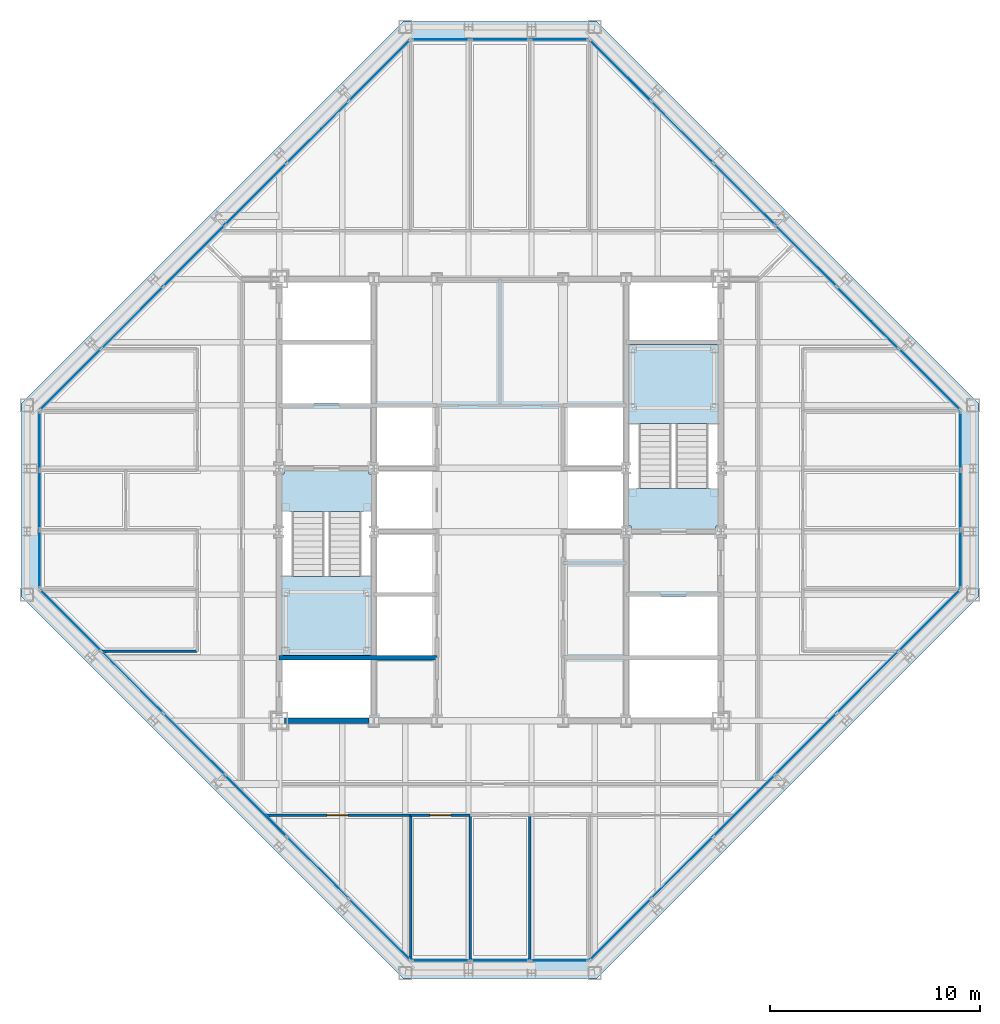
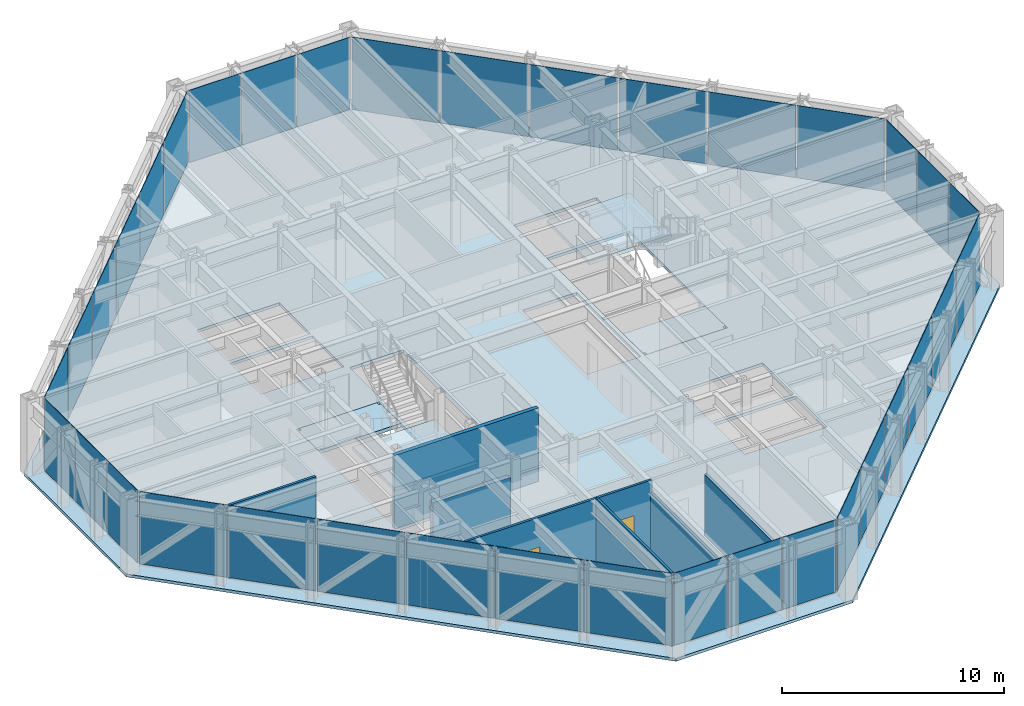
# One storey, part 9 of 15: 36 plates, 8 walls, 5 slabs, 2 doors, 2 openings, 10 elements without a shape of their own.
"""IFC4 building model written with IfcOpenShell, lengths in metres."""

import ifcopenshell
import ifcopenshell.guid

model = None  # the IFC model being written
_history = None  # IfcOwnerHistory: only IFC2X3 demands one
_inside = {}  # id of a spatial element -> (the spatial element, [elements in it])
_under = {}  # id of a project, library or spatial element -> (it, [spatial elements below it])
_declared = {}  # id of a project -> (the project, [libraries it declares])
_typed = {}  # id of a type object -> (the type object, [elements of that type])
_made_of = {}  # id of a material, layer set ... -> (it, [elements and type objects made of it])


def new_model(schema):
    """Start an empty IFC model of exactly this schema.

    Asked for "IFC4X3", IfcOpenShell would pick the latest addendum, in which some entities
    have other attributes; the version numbers below select the first issue.
    IFC2X3 requires an IfcOwnerHistory on every rooted entity: one is made here for all.
    """
    global model, _history
    if schema == "IFC4X3":
        model = ifcopenshell.file(schema_version=(4, 3, 0, 0))
    else:
        model = ifcopenshell.file(schema=schema)
    _inside.clear()
    _under.clear()
    _declared.clear()
    _typed.clear()
    _made_of.clear()
    _history = None
    if model.schema == "IFC2X3":
        org = make("IfcOrganization", Name="unknown")
        user = make(
            "IfcPersonAndOrganization",
            ThePerson=make("IfcPerson", FamilyName="unknown"),
            TheOrganization=org,
        )
        app = make(
            "IfcApplication",
            ApplicationDeveloper=org,
            Version="unknown",
            ApplicationFullName="unknown",
            ApplicationIdentifier="unknown",
        )
        _history = make(
            "IfcOwnerHistory",
            OwningUser=user,
            OwningApplication=app,
            ChangeAction="ADDED",
            CreationDate=0,
        )
    return model


def make(cls, **values):
    """One entity of the class cls with the attributes given. An attribute that is None is left unset."""
    return model.create_entity(
        cls, **{name: value for name, value in values.items() if value is not None}
    )


def rooted(cls, **values):
    """An entity with a GlobalId (a new one), such as an element, a storey or a relation."""
    return make(cls, GlobalId=ifcopenshell.guid.new(), OwnerHistory=_history, **values)


def si_unit(unit_type, name, prefix=None):
    """IfcSIUnit, for example si_unit("LENGTHUNIT", "METRE", prefix="MILLI")."""
    return make("IfcSIUnit", UnitType=unit_type, Prefix=prefix, Name=name)


def assignment(units):
    """IfcUnitAssignment: the units of a project."""
    return None if units is None else make("IfcUnitAssignment", Units=units)


def point(xyz):
    """IfcCartesianPoint."""
    return None if xyz is None else make("IfcCartesianPoint", Coordinates=xyz)


def direction(xyz):
    """IfcDirection."""
    return None if xyz is None else make("IfcDirection", DirectionRatios=xyz)


def frame(location, z_axis=None, x_axis=None):
    """IfcAxis2Placement3D, a coordinate frame: its origin and axes. An axis left out is left unset."""
    return make(
        "IfcAxis2Placement3D",
        Location=point(location),
        Axis=direction(z_axis),
        RefDirection=direction(x_axis),
    )


def frame_2d(location, x_axis=None):
    """IfcAxis2Placement2D, a coordinate frame in the plane: its origin and x axis."""
    return make(
        "IfcAxis2Placement2D", Location=point(location), RefDirection=direction(x_axis)
    )


def origin():
    """The frame at (0, 0, 0) with its axes left unset."""
    return frame((0.0, 0.0, 0.0))


def origin_2d():
    """The frame at (0, 0) in the plane with its x axis left unset."""
    return frame_2d((0.0, 0.0))


def place(relative_to, where):
    """IfcLocalPlacement: puts the frame where relative to a parent placement (None: the world)."""
    return make(
        "IfcLocalPlacement", PlacementRelTo=relative_to, RelativePlacement=where
    )


def context(
    kind, dimensions, precision=None, world=None, true_north=None, identifier=None
):
    """IfcGeometricRepresentationContext, for example the 3D "Model" context."""
    return make(
        "IfcGeometricRepresentationContext",
        ContextIdentifier=identifier,
        ContextType=kind,
        CoordinateSpaceDimension=dimensions,
        Precision=precision,
        WorldCoordinateSystem=world,
        TrueNorth=true_north,
    )


def subcontext(parent, identifier, kind, view, scale=None):
    """IfcGeometricRepresentationSubContext, for example "Body" below "Model"."""
    return make(
        "IfcGeometricRepresentationSubContext",
        ContextIdentifier=identifier,
        ContextType=kind,
        ParentContext=parent,
        TargetScale=scale,
        TargetView=view,
    )


def project(units=None, contexts=None):
    """IfcProject with its units and contexts."""
    return rooted(
        "IfcProject",
        Name="project",
        RepresentationContexts=contexts,
        UnitsInContext=assignment(units),
    )


def spatial(cls, under=None, at=None, **own):
    """A site, building, storey or space (cls), placed at a placement, below another one or the project."""
    s = rooted(cls, ObjectPlacement=at, **own)
    if under is not None:
        _under.setdefault(under.id(), (under, []))[1].append(s)
    return s


def polyline(points):
    """IfcPolyline through the points."""
    return make("IfcPolyline", Points=[point(p) for p in points])


def profile(cls, at=None, kind="AREA", **sizes):
    """A parametric profile (cls). Its sizes go by their IFC names, for example OverallWidth=200.0."""
    return make(cls, ProfileType=kind, Position=at, **sizes)


def rectangle(**sizes):
    """IfcRectangleProfileDef."""
    return profile("IfcRectangleProfileDef", **sizes)


def outline(outer, holes=None, kind="AREA"):
    """IfcArbitraryClosedProfileDef: a profile drawn as a closed curve; with holes, ...WithVoids."""
    if holes is None:
        return make("IfcArbitraryClosedProfileDef", ProfileType=kind, OuterCurve=outer)
    return make(
        "IfcArbitraryProfileDefWithVoids",
        ProfileType=kind,
        OuterCurve=outer,
        InnerCurves=holes,
    )


def extrude(swept, where, along, depth):
    """IfcExtrudedAreaSolid: the profile swept, set in the frame where, extruded along a direction by depth."""
    return make(
        "IfcExtrudedAreaSolid",
        SweptArea=swept,
        Position=where,
        ExtrudedDirection=direction(along),
        Depth=depth,
    )


def shape(context_of_items, identifier, shape_type, items):
    """IfcShapeRepresentation: the items that make up one representation, for example the "Body"."""
    return make(
        "IfcShapeRepresentation",
        ContextOfItems=context_of_items,
        RepresentationIdentifier=identifier,
        RepresentationType=shape_type,
        Items=items,
    )


def material(Name=None, Category=None):
    """IfcMaterial."""
    return make("IfcMaterial", Name=Name, Category=Category)


def layer(
    of_material, thickness, ventilated=None, Name=None, Category=None, Priority=None
):
    """IfcMaterialLayer: one layer of a wall or slab, of a material (None: an air gap)."""
    return make(
        "IfcMaterialLayer",
        Material=of_material,
        LayerThickness=thickness,
        IsVentilated=ventilated,
        Name=Name,
        Category=Category,
        Priority=Priority,
    )


def layer_set(layers, Name=None):
    """IfcMaterialLayerSet."""
    return make("IfcMaterialLayerSet", MaterialLayers=layers, LayerSetName=Name)


def made_of(thing, what):
    """Note that an element or type object is made of a material, layer set ...; save() writes the relation."""
    if what is not None:
        _made_of.setdefault(what.id(), (what, []))[1].append(thing)
    return thing


def type_object(cls, material=None, **own):
    """A type object (cls), such as IfcWallType, which elements share."""
    return made_of(rooted(cls, **own), material)


def element(
    cls,
    number,
    at=None,
    inside=None,
    cuts=None,
    type_object=None,
    material=None,
    context=None,
    identifier="Body",
    shape_type=None,
    held_by="IfcProductDefinitionShape",
    body=None,
    shapes=None,
    **own,
):
    """One element of the class cls, such as IfcWall. Its Tag is "e" and its number.

    at: its placement. inside: the storey or other place that contains it. cuts: it is an
    opening in that element (IfcRelVoidsElement). A single representation is given by context,
    identifier, shape_type and body (its items); several are given by shapes. held_by: the class
    of the entity that holds the representations. save() writes the other relations.
    """
    e = rooted(cls, Tag="e%d" % number, ObjectPlacement=at, **own)
    if body is not None:
        shapes = [shape(context, identifier, shape_type, body)]
    if shapes is not None:
        e.Representation = make(held_by, Representations=shapes)
    if inside is not None:
        _inside.setdefault(inside.id(), (inside, []))[1].append(e)
    if cuts is not None:
        rooted(
            "IfcRelVoidsElement", RelatingBuildingElement=cuts, RelatedOpeningElement=e
        )
    if type_object is not None:
        _typed.setdefault(type_object.id(), (type_object, []))[1].append(e)
    return made_of(e, material)


def fill(opening, filler):
    """IfcRelFillsElement: the door or window that sits in an opening."""
    return rooted(
        "IfcRelFillsElement",
        RelatingOpeningElement=opening,
        RelatedBuildingElement=filler,
    )


def aggregate(whole, parts):
    """IfcRelAggregates: a whole, such as a stair, and the parts it consists of."""
    return rooted("IfcRelAggregates", RelatingObject=whole, RelatedObjects=parts)


def save(model, path):
    """Write the relations noted so far, then the file.

    IfcRelAggregates (storeys below a building ...), IfcRelContainedInSpatialStructure (elements
    in a storey), IfcRelDefinesByType, IfcRelAssociatesMaterial and IfcRelDeclares: one each for
    every whole, place, type object, material and project.
    """
    for whole, parts in _under.values():
        aggregate(whole, parts)
    for where, things in _inside.values():
        rooted(
            "IfcRelContainedInSpatialStructure",
            RelatedElements=things,
            RelatingStructure=where,
        )
    for kind, things in _typed.values():
        rooted("IfcRelDefinesByType", RelatedObjects=things, RelatingType=kind)
    for what, things in _made_of.values():
        rooted("IfcRelAssociatesMaterial", RelatedObjects=things, RelatingMaterial=what)
    for by, libraries in _declared.values():
        rooted("IfcRelDeclares", RelatingContext=by, RelatedDefinitions=libraries)
    model.write(path)


model = new_model("IFC4")

# Units and contexts
model_context = context("Model", 3, precision=1e-05, world=origin(), true_north=direction((0.0, 1.0)))
body_context = subcontext(model_context, "Body", "Model", "MODEL_VIEW")
ifc_project = project(units=[si_unit("LENGTHUNIT", "METRE"), si_unit("AREAUNIT", "SQUARE_METRE"), si_unit("VOLUMEUNIT", "CUBIC_METRE"), si_unit("PLANEANGLEUNIT", "RADIAN"), si_unit("MASSUNIT", "GRAM", prefix="KILO")], contexts=[model_context])

# Site, building, storey
site_placement = place(None, origin())
site = spatial("IfcSite", under=ifc_project, at=site_placement, CompositionType="ELEMENT")
building_placement = place(site_placement, origin())
building = spatial("IfcBuilding", under=site, at=building_placement, Name="Chuquiago Exchange Tower", CompositionType="ELEMENT")
storey_placement = place(building_placement, frame((0.0, 0.0, 270.60009765625)))
storey = spatial("IfcBuildingStorey", under=building, at=storey_placement, Name="L60", CompositionType="ELEMENT", Elevation=270.60009765625)

# Curtain wall, plate
ifc_material_1 = material(Name="Aluminium curtain wall system", Category="aluminium")
ifc_layer_1 = layer(ifc_material_1, 0.22509765625)
ifc_layer_set_1 = layer_set([ifc_layer_1], Name="CW2 office curtain wall")
curtain_wall_type_1 = type_object("IfcCurtainWallType", Name="CW2 office curtain wall", PredefinedType="NOTDEFINED", material=ifc_layer_set_1)
curtain_wall_1_placement = place(storey_placement, origin())
curtain_wall_1 = element("IfcCurtainWall", 1, at=curtain_wall_1_placement, inside=storey, type_object=curtain_wall_type_1, Name="CW2 curtain wall L60", PredefinedType="NOTDEFINED")
ifc_material_2 = material(Name="Glass, insulating unit", Category="glass")
ifc_layer_2 = layer(ifc_material_2, 0.030029296875)
ifc_layer_set_2 = layer_set([ifc_layer_2], Name="CW2-P panel 30")
plate_type_1 = type_object("IfcPlateType", Name="CW2-P panel 30", PredefinedType="CURTAIN_PANEL", material=ifc_layer_set_2)
plate_1_placement = place(storey_placement, frame((25.318115234375, 0.60009765625, 0.06494140625), z_axis=(0.0, 0.0, 1.0), x_axis=(1.0, 0.0, 0.0)))
plate_1 = element("IfcPlate", 2, at=plate_1_placement, type_object=plate_type_1, Name="CW2 panel 3.1", PredefinedType="CURTAIN_PANEL", context=body_context, shape_type="SweptSolid", body=[
    extrude(rectangle(XDim=2.73681640625, YDim=0.030029296875, at=origin_2d()), origin(), (0.0, 0.0, 1.0), 3.97509765625),
])

curtain_wall_2_placement = place(storey_placement, origin())
curtain_wall_2 = element("IfcCurtainWall", 3, at=curtain_wall_2_placement, inside=storey, type_object=curtain_wall_type_1, Name="CW2 curtain wall L60", PredefinedType="NOTDEFINED")
plate_2_placement = place(storey_placement, frame((44.39990234375, 25.318115234375, 0.06494140625), z_axis=(0.0, 0.0, 1.0), x_axis=(0.0, 1.0, 0.0)))
plate_2 = element("IfcPlate", 4, at=plate_2_placement, type_object=plate_type_1, Name="CW2 panel 3.1", PredefinedType="CURTAIN_PANEL", context=body_context, shape_type="SweptSolid", body=[
    extrude(rectangle(XDim=2.73681640625, YDim=0.030029296875, at=origin_2d()), origin(), (0.0, 0.0, 1.0), 3.97509765625),
])

curtain_wall_3_placement = place(storey_placement, origin())
curtain_wall_3 = element("IfcCurtainWall", 5, at=curtain_wall_3_placement, inside=storey, type_object=curtain_wall_type_1, Name="CW2 curtain wall L60", PredefinedType="NOTDEFINED")
plate_3_placement = place(storey_placement, frame((19.681884765625, 44.39990234375, 0.06494140625), z_axis=(0.0, 0.0, 1.0), x_axis=(-1.0, 0.0, 0.0)))
plate_3 = element("IfcPlate", 6, at=plate_3_placement, type_object=plate_type_1, Name="CW2 panel 3.1", PredefinedType="CURTAIN_PANEL", context=body_context, shape_type="SweptSolid", body=[
    extrude(rectangle(XDim=2.73681640625, YDim=0.030029296875, at=origin_2d()), origin(), (0.0, 0.0, 1.0), 3.97509765625),
])

curtain_wall_4_placement = place(storey_placement, origin())
curtain_wall_4 = element("IfcCurtainWall", 7, at=curtain_wall_4_placement, inside=storey, type_object=curtain_wall_type_1, Name="CW2 curtain wall L60", PredefinedType="NOTDEFINED")
plate_4_placement = place(storey_placement, frame((0.60009765625, 19.681884765625, 0.06494140625), z_axis=(0.0, 0.0, 1.0), x_axis=(0.0, -1.0, 0.0)))
plate_4 = element("IfcPlate", 8, at=plate_4_placement, type_object=plate_type_1, Name="CW2 panel 3.1", PredefinedType="CURTAIN_PANEL", context=body_context, shape_type="SweptSolid", body=[
    extrude(rectangle(XDim=2.73681640625, YDim=0.030029296875, at=origin_2d()), origin(), (0.0, 0.0, 1.0), 3.97509765625),
])

# Plate
ifc_material_3 = material(Name="Insulated spandrel panel, pale anodised aluminium", Category="aluminium")
ifc_layer_3 = layer(ifc_material_3, 0.030029296875)
ifc_layer_set_3 = layer_set([ifc_layer_3], Name="CW2-P spandrel panel 30")
plate_type_2 = type_object("IfcPlateType", Name="CW2-P spandrel panel 30", PredefinedType="CURTAIN_PANEL", material=ifc_layer_set_3)
plate_5_placement = place(storey_placement, frame((19.681884765625, 0.60009765625, 0.06494140625), z_axis=(0.0, 0.0, 1.0), x_axis=(1.0, 0.0, 0.0)))
plate_5 = element("IfcPlate", 9, at=plate_5_placement, type_object=plate_type_2, Name="CW2 panel 1.1", PredefinedType="CURTAIN_PANEL", context=body_context, shape_type="SweptSolid", body=[
    extrude(rectangle(XDim=2.73681640625, YDim=0.030029296875, at=origin_2d()), origin(), (0.0, 0.0, 1.0), 3.97509765625),
])

plate_6_placement = place(storey_placement, frame((22.5, 0.60009765625, 0.06494140625), z_axis=(0.0, 0.0, 1.0), x_axis=(1.0, 0.0, 0.0)))
plate_6 = element("IfcPlate", 10, at=plate_6_placement, type_object=plate_type_2, Name="CW2 panel 2.1", PredefinedType="CURTAIN_PANEL", context=body_context, shape_type="SweptSolid", body=[
    extrude(rectangle(XDim=2.769287109375, YDim=0.030029296875, at=origin_2d()), origin(), (0.0, 0.0, 1.0), 3.97509765625),
])

aggregate(curtain_wall_1, [plate_5, plate_6, plate_1])

plate_7_placement = place(storey_placement, frame((44.39990234375, 19.681884765625, 0.06494140625), z_axis=(0.0, 0.0, 1.0), x_axis=(0.0, 1.0, 0.0)))
plate_7 = element("IfcPlate", 11, at=plate_7_placement, type_object=plate_type_2, Name="CW2 panel 1.1", PredefinedType="CURTAIN_PANEL", context=body_context, shape_type="SweptSolid", body=[
    extrude(rectangle(XDim=2.73681640625, YDim=0.030029296875, at=origin_2d()), origin(), (0.0, 0.0, 1.0), 3.97509765625),
])

plate_8_placement = place(storey_placement, frame((44.39990234375, 22.5, 0.06494140625), z_axis=(0.0, 0.0, 1.0), x_axis=(0.0, 1.0, 0.0)))
plate_8 = element("IfcPlate", 12, at=plate_8_placement, type_object=plate_type_2, Name="CW2 panel 2.1", PredefinedType="CURTAIN_PANEL", context=body_context, shape_type="SweptSolid", body=[
    extrude(rectangle(XDim=2.769287109375, YDim=0.030029296875, at=origin_2d()), origin(), (0.0, 0.0, 1.0), 3.97509765625),
])

aggregate(curtain_wall_2, [plate_7, plate_8, plate_2])

plate_9_placement = place(storey_placement, frame((25.318115234375, 44.39990234375, 0.06494140625), z_axis=(0.0, 0.0, 1.0), x_axis=(-1.0, 0.0, 0.0)))
plate_9 = element("IfcPlate", 13, at=plate_9_placement, type_object=plate_type_2, Name="CW2 panel 1.1", PredefinedType="CURTAIN_PANEL", context=body_context, shape_type="SweptSolid", body=[
    extrude(rectangle(XDim=2.73681640625, YDim=0.030029296875, at=origin_2d()), origin(), (0.0, 0.0, 1.0), 3.97509765625),
])

plate_10_placement = place(storey_placement, frame((22.5, 44.39990234375, 0.06494140625), z_axis=(0.0, 0.0, 1.0), x_axis=(-1.0, 0.0, 0.0)))
plate_10 = element("IfcPlate", 14, at=plate_10_placement, type_object=plate_type_2, Name="CW2 panel 2.1", PredefinedType="CURTAIN_PANEL", context=body_context, shape_type="SweptSolid", body=[
    extrude(rectangle(XDim=2.769287109375, YDim=0.030029296875, at=origin_2d()), origin(), (0.0, 0.0, 1.0), 3.97509765625),
])

aggregate(curtain_wall_3, [plate_9, plate_10, plate_3])

plate_11_placement = place(storey_placement, frame((0.60009765625, 25.318115234375, 0.06494140625), z_axis=(0.0, 0.0, 1.0), x_axis=(0.0, -1.0, 0.0)))
plate_11 = element("IfcPlate", 15, at=plate_11_placement, type_object=plate_type_2, Name="CW2 panel 1.1", PredefinedType="CURTAIN_PANEL", context=body_context, shape_type="SweptSolid", body=[
    extrude(rectangle(XDim=2.73681640625, YDim=0.030029296875, at=origin_2d()), origin(), (0.0, 0.0, 1.0), 3.97509765625),
])

plate_12_placement = place(storey_placement, frame((0.60009765625, 22.5, 0.06494140625), z_axis=(0.0, 0.0, 1.0), x_axis=(0.0, -1.0, 0.0)))
plate_12 = element("IfcPlate", 16, at=plate_12_placement, type_object=plate_type_2, Name="CW2 panel 2.1", PredefinedType="CURTAIN_PANEL", context=body_context, shape_type="SweptSolid", body=[
    extrude(rectangle(XDim=2.769287109375, YDim=0.030029296875, at=origin_2d()), origin(), (0.0, 0.0, 1.0), 3.97509765625),
])

aggregate(curtain_wall_4, [plate_11, plate_12, plate_4])

# Curtain wall, plates
ifc_material_4 = material(Name="Aluminium curtain wall system", Category="aluminium")
ifc_layer_4 = layer(ifc_material_4, 0.199951171875)
ifc_layer_set_4 = layer_set([ifc_layer_4], Name="CW3 facet curtain wall")
curtain_wall_type_2 = type_object("IfcCurtainWallType", Name="CW3 facet curtain wall", PredefinedType="NOTDEFINED", material=ifc_layer_set_4)
curtain_wall_5_placement = place(storey_placement, origin())
curtain_wall_5 = element("IfcCurtainWall", 17, at=curtain_wall_5_placement, inside=storey, type_object=curtain_wall_type_2, Name="CW3 curtain wall L60", PredefinedType="NOTDEFINED")
ifc_material_5 = material(Name="Insulated spandrel panel, pale anodised aluminium", Category="aluminium")
ifc_layer_5 = layer(ifc_material_5, 0.030029296875)
ifc_layer_set_5 = layer_set([ifc_layer_5], Name="CW3-P spandrel panel 30")
plate_type_3 = type_object("IfcPlateType", Name="CW3-P spandrel panel 30", PredefinedType="CURTAIN_PANEL", material=ifc_layer_set_5)
plate_13_placement = place(storey_placement, frame((28.233642578125, 2.082275390625, 0.06494140625), z_axis=(0.0, 0.0, 1.0), x_axis=(0.707106781187, 0.707106781187, 0.0)))
plate_13 = element("IfcPlate", 18, at=plate_13_placement, type_object=plate_type_3, Name="CW3 panel 1.1", PredefinedType="CURTAIN_PANEL", context=body_context, shape_type="SweptSolid", body=[
    extrude(rectangle(XDim=4.062255859375, YDim=0.030029296875, at=origin_2d()), origin(), (0.0, 0.0, 1.0), 3.97509765625),
])
plate_14_placement = place(storey_placement, frame((31.16357421875, 5.01220703125, 0.06494140625), z_axis=(0.0, 0.0, 1.0), x_axis=(0.707106781187, 0.707106781187, 0.0)))
plate_14 = element("IfcPlate", 19, at=plate_14_placement, type_object=plate_type_3, Name="CW3 panel 2.1", PredefinedType="CURTAIN_PANEL", context=body_context, shape_type="SweptSolid", body=[
    extrude(rectangle(XDim=4.0947265625, YDim=0.030029296875, at=origin_2d()), origin(), (0.0, 0.0, 1.0), 3.97509765625),
])
plate_15_placement = place(storey_placement, frame((34.10498046875, 7.95361328125, 0.06494140625), z_axis=(0.0, 0.0, 1.0), x_axis=(0.707106781187, 0.707106781187, 0.0)))
plate_15 = element("IfcPlate", 20, at=plate_15_placement, type_object=plate_type_3, Name="CW3 panel 3.1", PredefinedType="CURTAIN_PANEL", context=body_context, shape_type="SweptSolid", body=[
    extrude(rectangle(XDim=4.0947265625, YDim=0.030029296875, at=origin_2d()), origin(), (0.0, 0.0, 1.0), 3.97509765625),
])
plate_16_placement = place(storey_placement, frame((37.04638671875, 10.89501953125, 0.06494140625), z_axis=(0.0, 0.0, 1.0), x_axis=(0.707106781187, 0.707106781187, 0.0)))
plate_16 = element("IfcPlate", 21, at=plate_16_placement, type_object=plate_type_3, Name="CW3 panel 4.1", PredefinedType="CURTAIN_PANEL", context=body_context, shape_type="SweptSolid", body=[
    extrude(rectangle(XDim=4.0947265625, YDim=0.030029296875, at=origin_2d()), origin(), (0.0, 0.0, 1.0), 3.97509765625),
])
plate_17_placement = place(storey_placement, frame((39.98779296875, 13.83642578125, 0.06494140625), z_axis=(0.0, 0.0, 1.0), x_axis=(0.707106781187, 0.707106781187, 0.0)))
plate_17 = element("IfcPlate", 22, at=plate_17_placement, type_object=plate_type_3, Name="CW3 panel 5.1", PredefinedType="CURTAIN_PANEL", context=body_context, shape_type="SweptSolid", body=[
    extrude(rectangle(XDim=4.0947265625, YDim=0.030029296875, at=origin_2d()), origin(), (0.0, 0.0, 1.0), 3.97509765625),
])
plate_18_placement = place(storey_placement, frame((42.917724609375, 16.766357421875, 0.06494140625), z_axis=(0.0, 0.0, 1.0), x_axis=(0.707106781187, 0.707106781187, 0.0)))
plate_18 = element("IfcPlate", 23, at=plate_18_placement, type_object=plate_type_3, Name="CW3 panel 6.1", PredefinedType="CURTAIN_PANEL", context=body_context, shape_type="SweptSolid", body=[
    extrude(rectangle(XDim=4.062255859375, YDim=0.030029296875, at=origin_2d()), origin(), (0.0, 0.0, 1.0), 3.97509765625),
])
aggregate(curtain_wall_5, [plate_13, plate_14, plate_15, plate_16, plate_17, plate_18])

curtain_wall_6_placement = place(storey_placement, origin())
curtain_wall_6 = element("IfcCurtainWall", 24, at=curtain_wall_6_placement, inside=storey, type_object=curtain_wall_type_2, Name="CW3 curtain wall L60", PredefinedType="NOTDEFINED")
plate_19_placement = place(storey_placement, frame((42.917724609375, 28.233642578125, 0.06494140625), z_axis=(0.0, 0.0, 1.0), x_axis=(-0.707106781187, 0.707106781187, 0.0)))
plate_19 = element("IfcPlate", 25, at=plate_19_placement, type_object=plate_type_3, Name="CW3 panel 1.1", PredefinedType="CURTAIN_PANEL", context=body_context, shape_type="SweptSolid", body=[
    extrude(rectangle(XDim=4.062255859375, YDim=0.030029296875, at=origin_2d()), origin(), (0.0, 0.0, 1.0), 3.97509765625),
])
plate_20_placement = place(storey_placement, frame((39.98779296875, 31.16357421875, 0.06494140625), z_axis=(0.0, 0.0, 1.0), x_axis=(-0.707106781187, 0.707106781187, 0.0)))
plate_20 = element("IfcPlate", 26, at=plate_20_placement, type_object=plate_type_3, Name="CW3 panel 2.1", PredefinedType="CURTAIN_PANEL", context=body_context, shape_type="SweptSolid", body=[
    extrude(rectangle(XDim=4.0947265625, YDim=0.030029296875, at=origin_2d()), origin(), (0.0, 0.0, 1.0), 3.97509765625),
])
plate_21_placement = place(storey_placement, frame((37.04638671875, 34.10498046875, 0.06494140625), z_axis=(0.0, 0.0, 1.0), x_axis=(-0.707106781187, 0.707106781187, 0.0)))
plate_21 = element("IfcPlate", 27, at=plate_21_placement, type_object=plate_type_3, Name="CW3 panel 3.1", PredefinedType="CURTAIN_PANEL", context=body_context, shape_type="SweptSolid", body=[
    extrude(rectangle(XDim=4.0947265625, YDim=0.030029296875, at=origin_2d()), origin(), (0.0, 0.0, 1.0), 3.97509765625),
])
plate_22_placement = place(storey_placement, frame((34.10498046875, 37.04638671875, 0.06494140625), z_axis=(0.0, 0.0, 1.0), x_axis=(-0.707106781187, 0.707106781187, 0.0)))
plate_22 = element("IfcPlate", 28, at=plate_22_placement, type_object=plate_type_3, Name="CW3 panel 4.1", PredefinedType="CURTAIN_PANEL", context=body_context, shape_type="SweptSolid", body=[
    extrude(rectangle(XDim=4.0947265625, YDim=0.030029296875, at=origin_2d()), origin(), (0.0, 0.0, 1.0), 3.97509765625),
])
plate_23_placement = place(storey_placement, frame((31.16357421875, 39.98779296875, 0.06494140625), z_axis=(0.0, 0.0, 1.0), x_axis=(-0.707106781187, 0.707106781187, 0.0)))
plate_23 = element("IfcPlate", 29, at=plate_23_placement, type_object=plate_type_3, Name="CW3 panel 5.1", PredefinedType="CURTAIN_PANEL", context=body_context, shape_type="SweptSolid", body=[
    extrude(rectangle(XDim=4.0947265625, YDim=0.030029296875, at=origin_2d()), origin(), (0.0, 0.0, 1.0), 3.97509765625),
])
plate_24_placement = place(storey_placement, frame((28.233642578125, 42.917724609375, 0.06494140625), z_axis=(0.0, 0.0, 1.0), x_axis=(-0.707106781187, 0.707106781187, 0.0)))
plate_24 = element("IfcPlate", 30, at=plate_24_placement, type_object=plate_type_3, Name="CW3 panel 6.1", PredefinedType="CURTAIN_PANEL", context=body_context, shape_type="SweptSolid", body=[
    extrude(rectangle(XDim=4.062255859375, YDim=0.030029296875, at=origin_2d()), origin(), (0.0, 0.0, 1.0), 3.97509765625),
])
aggregate(curtain_wall_6, [plate_19, plate_20, plate_21, plate_22, plate_23, plate_24])

curtain_wall_7_placement = place(storey_placement, origin())
curtain_wall_7 = element("IfcCurtainWall", 31, at=curtain_wall_7_placement, inside=storey, type_object=curtain_wall_type_2, Name="CW3 curtain wall L60", PredefinedType="NOTDEFINED")
plate_25_placement = place(storey_placement, frame((16.766357421875, 42.917724609375, 0.06494140625), z_axis=(0.0, 0.0, 1.0), x_axis=(-0.707106781187, -0.707106781187, 0.0)))
plate_25 = element("IfcPlate", 32, at=plate_25_placement, type_object=plate_type_3, Name="CW3 panel 1.1", PredefinedType="CURTAIN_PANEL", context=body_context, shape_type="SweptSolid", body=[
    extrude(rectangle(XDim=4.062255859375, YDim=0.030029296875, at=origin_2d()), origin(), (0.0, 0.0, 1.0), 3.97509765625),
])
plate_26_placement = place(storey_placement, frame((13.83642578125, 39.98779296875, 0.06494140625), z_axis=(0.0, 0.0, 1.0), x_axis=(-0.707106781187, -0.707106781187, 0.0)))
plate_26 = element("IfcPlate", 33, at=plate_26_placement, type_object=plate_type_3, Name="CW3 panel 2.1", PredefinedType="CURTAIN_PANEL", context=body_context, shape_type="SweptSolid", body=[
    extrude(rectangle(XDim=4.0947265625, YDim=0.030029296875, at=origin_2d()), origin(), (0.0, 0.0, 1.0), 3.97509765625),
])
plate_27_placement = place(storey_placement, frame((10.89501953125, 37.04638671875, 0.06494140625), z_axis=(0.0, 0.0, 1.0), x_axis=(-0.707106781187, -0.707106781187, 0.0)))
plate_27 = element("IfcPlate", 34, at=plate_27_placement, type_object=plate_type_3, Name="CW3 panel 3.1", PredefinedType="CURTAIN_PANEL", context=body_context, shape_type="SweptSolid", body=[
    extrude(rectangle(XDim=4.0947265625, YDim=0.030029296875, at=origin_2d()), origin(), (0.0, 0.0, 1.0), 3.97509765625),
])
plate_28_placement = place(storey_placement, frame((7.95361328125, 34.10498046875, 0.06494140625), z_axis=(0.0, 0.0, 1.0), x_axis=(-0.707106781187, -0.707106781187, 0.0)))
plate_28 = element("IfcPlate", 35, at=plate_28_placement, type_object=plate_type_3, Name="CW3 panel 4.1", PredefinedType="CURTAIN_PANEL", context=body_context, shape_type="SweptSolid", body=[
    extrude(rectangle(XDim=4.0947265625, YDim=0.030029296875, at=origin_2d()), origin(), (0.0, 0.0, 1.0), 3.97509765625),
])
plate_29_placement = place(storey_placement, frame((5.01220703125, 31.16357421875, 0.06494140625), z_axis=(0.0, 0.0, 1.0), x_axis=(-0.707106781187, -0.707106781187, 0.0)))
plate_29 = element("IfcPlate", 36, at=plate_29_placement, type_object=plate_type_3, Name="CW3 panel 5.1", PredefinedType="CURTAIN_PANEL", context=body_context, shape_type="SweptSolid", body=[
    extrude(rectangle(XDim=4.0947265625, YDim=0.030029296875, at=origin_2d()), origin(), (0.0, 0.0, 1.0), 3.97509765625),
])
plate_30_placement = place(storey_placement, frame((2.082275390625, 28.233642578125, 0.06494140625), z_axis=(0.0, 0.0, 1.0), x_axis=(-0.707106781187, -0.707106781187, 0.0)))
plate_30 = element("IfcPlate", 37, at=plate_30_placement, type_object=plate_type_3, Name="CW3 panel 6.1", PredefinedType="CURTAIN_PANEL", context=body_context, shape_type="SweptSolid", body=[
    extrude(rectangle(XDim=4.062255859375, YDim=0.030029296875, at=origin_2d()), origin(), (0.0, 0.0, 1.0), 3.97509765625),
])
aggregate(curtain_wall_7, [plate_25, plate_26, plate_27, plate_28, plate_29, plate_30])

curtain_wall_8_placement = place(storey_placement, origin())
curtain_wall_8 = element("IfcCurtainWall", 38, at=curtain_wall_8_placement, inside=storey, type_object=curtain_wall_type_2, Name="CW3 curtain wall L60", PredefinedType="NOTDEFINED")
plate_31_placement = place(storey_placement, frame((2.082275390625, 16.766357421875, 0.06494140625), z_axis=(0.0, 0.0, 1.0), x_axis=(0.707106781187, -0.707106781187, 0.0)))
plate_31 = element("IfcPlate", 39, at=plate_31_placement, type_object=plate_type_3, Name="CW3 panel 1.1", PredefinedType="CURTAIN_PANEL", context=body_context, shape_type="SweptSolid", body=[
    extrude(rectangle(XDim=4.062255859375, YDim=0.030029296875, at=origin_2d()), origin(), (0.0, 0.0, 1.0), 3.97509765625),
])
plate_32_placement = place(storey_placement, frame((5.01220703125, 13.83642578125, 0.06494140625), z_axis=(0.0, 0.0, 1.0), x_axis=(0.707106781187, -0.707106781187, 0.0)))
plate_32 = element("IfcPlate", 40, at=plate_32_placement, type_object=plate_type_3, Name="CW3 panel 2.1", PredefinedType="CURTAIN_PANEL", context=body_context, shape_type="SweptSolid", body=[
    extrude(rectangle(XDim=4.0947265625, YDim=0.030029296875, at=origin_2d()), origin(), (0.0, 0.0, 1.0), 3.97509765625),
])
plate_33_placement = place(storey_placement, frame((7.95361328125, 10.89501953125, 0.06494140625), z_axis=(0.0, 0.0, 1.0), x_axis=(0.707106781187, -0.707106781187, 0.0)))
plate_33 = element("IfcPlate", 41, at=plate_33_placement, type_object=plate_type_3, Name="CW3 panel 3.1", PredefinedType="CURTAIN_PANEL", context=body_context, shape_type="SweptSolid", body=[
    extrude(rectangle(XDim=4.0947265625, YDim=0.030029296875, at=origin_2d()), origin(), (0.0, 0.0, 1.0), 3.97509765625),
])
plate_34_placement = place(storey_placement, frame((10.89501953125, 7.95361328125, 0.06494140625), z_axis=(0.0, 0.0, 1.0), x_axis=(0.707106781187, -0.707106781187, 0.0)))
plate_34 = element("IfcPlate", 42, at=plate_34_placement, type_object=plate_type_3, Name="CW3 panel 4.1", PredefinedType="CURTAIN_PANEL", context=body_context, shape_type="SweptSolid", body=[
    extrude(rectangle(XDim=4.0947265625, YDim=0.030029296875, at=origin_2d()), origin(), (0.0, 0.0, 1.0), 3.97509765625),
])
plate_35_placement = place(storey_placement, frame((13.83642578125, 5.01220703125, 0.06494140625), z_axis=(0.0, 0.0, 1.0), x_axis=(0.707106781187, -0.707106781187, 0.0)))
plate_35 = element("IfcPlate", 43, at=plate_35_placement, type_object=plate_type_3, Name="CW3 panel 5.1", PredefinedType="CURTAIN_PANEL", context=body_context, shape_type="SweptSolid", body=[
    extrude(rectangle(XDim=4.0947265625, YDim=0.030029296875, at=origin_2d()), origin(), (0.0, 0.0, 1.0), 3.97509765625),
])
plate_36_placement = place(storey_placement, frame((16.766357421875, 2.082275390625, 0.06494140625), z_axis=(0.0, 0.0, 1.0), x_axis=(0.707106781187, -0.707106781187, 0.0)))
plate_36 = element("IfcPlate", 44, at=plate_36_placement, type_object=plate_type_3, Name="CW3 panel 6.1", PredefinedType="CURTAIN_PANEL", context=body_context, shape_type="SweptSolid", body=[
    extrude(rectangle(XDim=4.062255859375, YDim=0.030029296875, at=origin_2d()), origin(), (0.0, 0.0, 1.0), 3.97509765625),
])
aggregate(curtain_wall_8, [plate_31, plate_32, plate_33, plate_34, plate_35, plate_36])

# Slab
ifc_material_6 = material(Name="Concrete C30/37", Category="concrete")
ifc_layer_6 = layer(ifc_material_6, 0.159912109375)
ifc_layer_set_6 = layer_set([ifc_layer_6], Name="FS1 composite floor 160")
slab_type_1 = type_object("IfcSlabType", Name="FS1 composite floor 160", PredefinedType="FLOOR", material=ifc_layer_set_6)
slab_1_placement = place(storey_placement, frame((0.0, 0.0, -0.16015625)))
element("IfcSlab", 45, at=slab_1_placement, inside=storey, type_object=slab_type_1, Name="L60 floor slab", PredefinedType="FLOOR", context=body_context, shape_type="SweptSolid", body=[
    extrude(outline(polyline([(17.896484375, -0.25), (-0.25, 17.896484375), (-0.25, 27.103515625), (17.896484375, 45.25), (27.103515625, 45.25), (45.25, 27.103515625), (45.25, 17.896484375), (27.103515625, -0.25), (17.896484375, -0.25)]), holes=[polyline([(16.39990234375, 15.10009765625), (12.10009765625, 15.10009765625), (12.10009765625, 23.89990234375), (16.39990234375, 23.89990234375), (16.39990234375, 15.10009765625)]), polyline([(32.89990234375, 21.10009765625), (28.60009765625, 21.10009765625), (28.60009765625, 29.89990234375), (32.89990234375, 29.89990234375), (32.89990234375, 21.10009765625)]), polyline([(16.39990234375, 12.10009765625), (12.10009765625, 12.10009765625), (12.10009765625, 14.89990234375), (16.39990234375, 14.89990234375), (16.39990234375, 12.10009765625)]), polyline([(16.39990234375, 30.10009765625), (12.10009765625, 30.10009765625), (12.10009765625, 32.89990234375), (16.39990234375, 32.89990234375), (16.39990234375, 30.10009765625)]), polyline([(32.89990234375, 12.10009765625), (28.60009765625, 12.10009765625), (28.60009765625, 14.89990234375), (32.89990234375, 14.89990234375), (32.89990234375, 12.10009765625)]), polyline([(32.89990234375, 30.10009765625), (28.60009765625, 30.10009765625), (28.60009765625, 32.89990234375), (32.89990234375, 32.89990234375), (32.89990234375, 30.10009765625)]), polyline([(16.39990234375, 27.10009765625), (12.10009765625, 27.10009765625), (12.10009765625, 29.89990234375), (16.39990234375, 29.89990234375), (16.39990234375, 27.10009765625)]), polyline([(32.89990234375, 15.10009765625), (28.60009765625, 15.10009765625), (28.60009765625, 17.89990234375), (32.89990234375, 17.89990234375), (32.89990234375, 15.10009765625)]), polyline([(19.39990234375, 15.10009765625), (16.60009765625, 15.10009765625), (16.60009765625, 26.89990234375), (19.39990234375, 26.89990234375), (19.39990234375, 15.10009765625)]), polyline([(28.39990234375, 21.10009765625), (25.60009765625, 21.10009765625), (25.60009765625, 26.89990234375), (28.39990234375, 26.89990234375), (28.39990234375, 21.10009765625)])]), origin(), (0.0, 0.0, 1.0), 0.16015625),
])

# Stair, slabs
ifc_material_7 = material(Name="Concrete C30/37, precast", Category="concrete")
stair_type_1 = type_object("IfcStairType", Name="ST1 half-turn stair 4200", PredefinedType="HALF_TURN_STAIR", material=ifc_material_7)
stair_1_placement = place(storey_placement, origin())
stair_1 = element("IfcStair", 46, at=stair_1_placement, inside=storey, type_object=stair_type_1, Name="Stair ST1 L60", PredefinedType="HALF_TURN_STAIR")
ifc_material_8 = material(Name="Concrete C30/37, precast", Category="concrete")
ifc_layer_7 = layer(ifc_material_8, 0.199951171875)
ifc_layer_set_7 = layer_set([ifc_layer_7], Name="ST-L landing 200")
slab_type_2 = type_object("IfcSlabType", Name="ST-L landing 200", PredefinedType="LANDING", material=ifc_layer_set_7)
slab_2_placement = place(storey_placement, frame((0.0, 0.0, -0.2001953125)))
slab_2 = element("IfcSlab", 47, at=slab_2_placement, type_object=slab_type_2, Name="ST1 landing 1", PredefinedType="LANDING", context=body_context, shape_type="SweptSolid", body=[
    extrude(outline(polyline([(12.224853515625, 23.89990234375), (16.275146484375, 23.89990234375), (16.275146484375, 23.7255859375), (16.39990234375, 23.7255859375), (16.39990234375, 21.949951171875), (12.10009765625, 21.949951171875), (12.10009765625, 23.7255859375), (12.224853515625, 23.7255859375), (12.224853515625, 23.89990234375)])), origin(), (0.0, 0.0, 1.0), 0.2001953125),
])
slab_3_placement = place(storey_placement, frame((0.0, 0.0, 1.89990234375)))
slab_3 = element("IfcSlab", 48, at=slab_3_placement, type_object=slab_type_2, Name="ST1 landing 2", PredefinedType="LANDING", context=body_context, shape_type="SweptSolid", body=[
    extrude(outline(polyline([(12.10009765625, 18.8701171875), (16.39990234375, 18.8701171875), (16.39990234375, 15.10009765625), (12.10009765625, 15.10009765625), (12.10009765625, 18.8701171875)])), origin(), (0.0, 0.0, 1.0), 0.199951171875),
])
aggregate(stair_1, [slab_2, slab_3])

ifc_material_9 = material(Name="Concrete C30/37, precast", Category="concrete")
stair_type_2 = type_object("IfcStairType", Name="ST2 half-turn stair 4200", PredefinedType="HALF_TURN_STAIR", material=ifc_material_9)
stair_2_placement = place(storey_placement, origin())
stair_2 = element("IfcStair", 49, at=stair_2_placement, inside=storey, type_object=stair_type_2, Name="Stair ST2 L60", PredefinedType="HALF_TURN_STAIR")
slab_4_placement = place(storey_placement, frame((0.0, 0.0, -0.2001953125)))
slab_4 = element("IfcSlab", 50, at=slab_4_placement, type_object=slab_type_2, Name="ST2 landing 1", PredefinedType="LANDING", context=body_context, shape_type="SweptSolid", body=[
    extrude(outline(polyline([(32.775146484375, 21.2744140625), (32.775146484375, 21.10009765625), (28.724853515625, 21.10009765625), (28.724853515625, 21.2744140625), (28.60009765625, 21.2744140625), (28.60009765625, 23.050048828125), (32.89990234375, 23.050048828125), (32.89990234375, 21.2744140625), (32.775146484375, 21.2744140625)])), origin(), (0.0, 0.0, 1.0), 0.2001953125),
])
slab_5_placement = place(storey_placement, frame((0.0, 0.0, 1.89990234375)))
slab_5 = element("IfcSlab", 51, at=slab_5_placement, type_object=slab_type_2, Name="ST2 landing 2", PredefinedType="LANDING", context=body_context, shape_type="SweptSolid", body=[
    extrude(outline(polyline([(28.60009765625, 29.89990234375), (32.89990234375, 29.89990234375), (32.89990234375, 26.1298828125), (28.60009765625, 26.1298828125), (28.60009765625, 29.89990234375)])), origin(), (0.0, 0.0, 1.0), 0.199951171875),
])
aggregate(stair_2, [slab_4, slab_5])

# Walls
ifc_material_10 = material(Name="Concrete masonry, fully grouted", Category="masonry")
ifc_layer_8 = layer(ifc_material_10, 0.25)
ifc_layer_set_8 = layer_set([ifc_layer_8], Name="W1 core wall 250")
wall_type_1 = type_object("IfcWallType", Name="W1 core wall 250", PredefinedType="SOLIDWALL", material=ifc_layer_set_8)
wall_1_placement = place(storey_placement, frame((12.25, 12.0, 0.0), z_axis=(0.0, 0.0, 1.0), x_axis=(1.0, 0.0, 0.0)))
element("IfcWall", 52, at=wall_1_placement, inside=storey, type_object=wall_type_1, Name="CW-L60-01-0", PredefinedType="SOLIDWALL", context=body_context, shape_type="SweptSolid", body=[
    extrude(rectangle(XDim=4.025146484375, YDim=0.25, at=frame_2d((2.0126953125, 0.0))), origin(), (0.0, 0.0, 1.0), 3.181396484375),
])
ifc_material_11 = material(Name="Concrete masonry, fully grouted", Category="masonry")
ifc_layer_9 = layer(ifc_material_11, 0.199951171875)
ifc_layer_set_9 = layer_set([ifc_layer_9], Name="W2 shaft wall 200")
wall_type_2 = type_object("IfcWallType", Name="W2 shaft wall 200", PredefinedType="SOLIDWALL", material=ifc_layer_set_9)
wall_2_placement = place(storey_placement, frame((12.0, 15.0, 0.0), z_axis=(0.0, 0.0, 1.0), x_axis=(1.0, 0.0, 0.0)))
element("IfcWall", 53, at=wall_2_placement, inside=storey, type_object=wall_type_2, Name="CW-L60-03-0", PredefinedType="SOLIDWALL", context=body_context, shape_type="SweptSolid", body=[
    extrude(rectangle(XDim=7.5, YDim=0.199951171875, at=frame_2d((3.75, 0.0))), origin(), (0.0, 0.0, 1.0), 4.039794921875),
])
ifc_material_12 = material(Name="Gypsum board on steel studs", Category="steel")
ifc_layer_10 = layer(ifc_material_12, 0.1201171875)
ifc_layer_set_10 = layer_set([ifc_layer_10], Name="W4 partition 120")
wall_type_3 = type_object("IfcWallType", Name="W4 partition 120", PredefinedType="PARTITIONING", material=ifc_layer_set_10)
wall_3_placement = place(storey_placement, frame((18.24853515625, 0.666015625, 0.0), z_axis=(0.0, 0.0, 1.0), x_axis=(0.0, 1.0, 0.0)))
element("IfcWall", 54, at=wall_3_placement, inside=storey, type_object=wall_type_3, Name="PW-L60-S01825", PredefinedType="PARTITIONING", context=body_context, shape_type="SweptSolid", body=[
    extrude(rectangle(XDim=6.833984375, YDim=0.1201171875, at=frame_2d((3.4169921875, 0.0))), origin(), (0.0, 0.0, 1.0), 4.039794921875),
])
for number, where, z_axis, x_axis, name in (
    (55, (21.082763671875, 0.652587890625, 0.0), (0.0, 0.0, 1.0), (0.0, 1.0, 0.0), "PW-L60-S02108"),
    (56, (23.917236328125, 0.652587890625, 0.0), (0.0, 0.0, 1.0), (0.0, 1.0, 0.0), "PW-L60-S02392"),
):
    element("IfcWall", number, at=place(storey_placement, frame(where, z_axis=z_axis, x_axis=x_axis)), inside=storey, type_object=wall_type_3, Name=name, PredefinedType="PARTITIONING", context=body_context, shape_type="SweptSolid", body=[
        extrude(rectangle(XDim=6.847412109375, YDim=0.1201171875, at=frame_2d((3.423828125, 0.0))), origin(), (0.0, 0.0, 1.0), 3.356689453125),
    ])

# Wall, opening, door
wall_4_placement = place(storey_placement, frame((11.385498046875, 7.5, 0.0), z_axis=(0.0, 0.0, 1.0), x_axis=(1.0, 0.0, 0.0)))
wall_4 = element("IfcWall", 57, at=wall_4_placement, inside=storey, type_object=wall_type_3, Name="PW-L60-SF00942", PredefinedType="PARTITIONING", context=body_context, shape_type="SweptSolid", body=[
    extrude(rectangle(XDim=6.863037109375, YDim=0.1201171875, at=frame_2d((3.431640625, 0.0))), origin(), (0.0, 0.0, 1.0), 4.039794921875),
])
opening_1_placement = place(wall_4_placement, frame((2.87939453125, 0.0, 0.0)))
opening_1 = element("IfcOpeningElement", 58, at=opening_1_placement, cuts=wall_4, Name="Opening L60-021", PredefinedType="OPENING", context=body_context, shape_type="SweptSolid", body=[
    extrude(rectangle(XDim=1.0, YDim=2.39990234375, at=frame_2d((0.5, 1.199951171875))), frame((0.0, 0.070068359375, 0.0), z_axis=(0.0, -1.0, 0.0), x_axis=(1.0, 0.0, 0.0)), (0.0, 0.0, 1.0), 0.14013671875),
])
ifc_material_13 = material(Name="Timber frame door, full height glazed panel", Category="wood")
door_type_1 = type_object("IfcDoorType", Name="D14 glazed meeting room door 1000x2400", OperationType="SINGLE_SWING_LEFT", PredefinedType="DOOR", material=ifc_material_13)
door_1_placement = place(opening_1_placement, frame((1.0, 0.0, 0.0), z_axis=(0.0, 0.0, 1.0), x_axis=(-1.0, 0.0, 0.0)))
door_1 = element("IfcDoor", 59, at=door_1_placement, inside=storey, type_object=door_type_1, Name="Conference room door", OperationType="SINGLE_SWING_RIGHT", OverallHeight=2.39990234375, OverallWidth=1.0, PredefinedType="DOOR", context=body_context, shape_type="SweptSolid", body=[
    extrude(rectangle(XDim=1.0, YDim=2.39990234375, at=frame_2d((0.5, 1.199951171875))), frame((0.0, 0.02490234375, 0.0), z_axis=(0.0, -1.0, 0.0), x_axis=(1.0, 0.0, 0.0)), (0.0, 0.0, 1.0), 0.050048828125),
])
fill(opening_1, door_1)

wall_5_placement = place(storey_placement, frame((18.24853515625, 7.5, 0.0), z_axis=(0.0, 0.0, 1.0), x_axis=(1.0, 0.0, 0.0)))
wall_5 = element("IfcWall", 60, at=wall_5_placement, inside=storey, type_object=wall_type_3, Name="PW-L60-SF01825", PredefinedType="PARTITIONING", context=body_context, shape_type="SweptSolid", body=[
    extrude(rectangle(XDim=2.834228515625, YDim=0.1201171875, at=frame_2d((1.4169921875, 0.0))), origin(), (0.0, 0.0, 1.0), 4.039794921875),
])
opening_2_placement = place(wall_5_placement, frame((0.9169921875, 0.0, 0.0)))
opening_2 = element("IfcOpeningElement", 61, at=opening_2_placement, cuts=wall_5, Name="Opening L60-022", PredefinedType="OPENING", context=body_context, shape_type="SweptSolid", body=[
    extrude(rectangle(XDim=1.0, YDim=2.39990234375, at=frame_2d((0.5, 1.199951171875))), frame((0.0, 0.070068359375, 0.0), z_axis=(0.0, -1.0, 0.0), x_axis=(1.0, 0.0, 0.0)), (0.0, 0.0, 1.0), 0.14013671875),
])
ifc_material_14 = material(Name="Timber door, laminate faced", Category="wood")
door_type_2 = type_object("IfcDoorType", Name="D9 room door 1000x2400", OperationType="SINGLE_SWING_LEFT", PredefinedType="DOOR", material=ifc_material_14)
door_2_placement = place(opening_2_placement, frame((1.0, 0.0, 0.0), z_axis=(0.0, 0.0, 1.0), x_axis=(-1.0, 0.0, 0.0)))
door_2 = element("IfcDoor", 62, at=door_2_placement, inside=storey, type_object=door_type_2, Name="Executive office door", OperationType="SINGLE_SWING_RIGHT", OverallHeight=2.39990234375, OverallWidth=1.0, PredefinedType="DOOR", context=body_context, shape_type="SweptSolid", body=[
    extrude(rectangle(XDim=1.0, YDim=2.39990234375, at=frame_2d((0.5, 1.199951171875))), frame((0.0, 0.02490234375, 0.0), z_axis=(0.0, -1.0, 0.0), x_axis=(1.0, 0.0, 0.0)), (0.0, 0.0, 1.0), 0.050048828125),
])
fill(opening_2, door_2)

# Wall
wall_6_placement = place(storey_placement, frame((3.607421875, 15.30712890625, 0.0), z_axis=(0.0, 0.0, 1.0), x_axis=(1.0, 0.0, 0.0)))
element("IfcWall", 63, at=wall_6_placement, inside=storey, type_object=wall_type_3, Name="PW-L60-W01531", PredefinedType="PARTITIONING", context=body_context, shape_type="SweptSolid", body=[
    extrude(rectangle(XDim=4.49267578125, YDim=0.1201171875, at=frame_2d((2.246337890625, 0.0))), origin(), (0.0, 0.0, 1.0), 4.039794921875),
])

save(model, "model.ifc")
